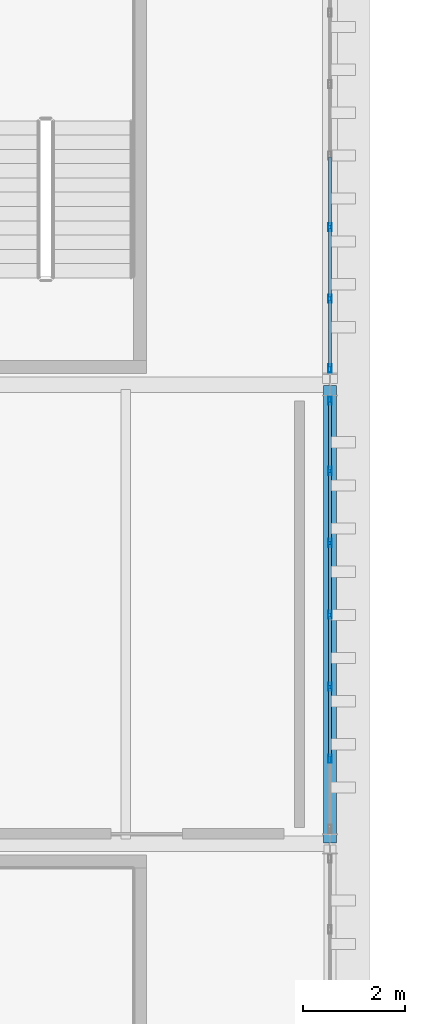
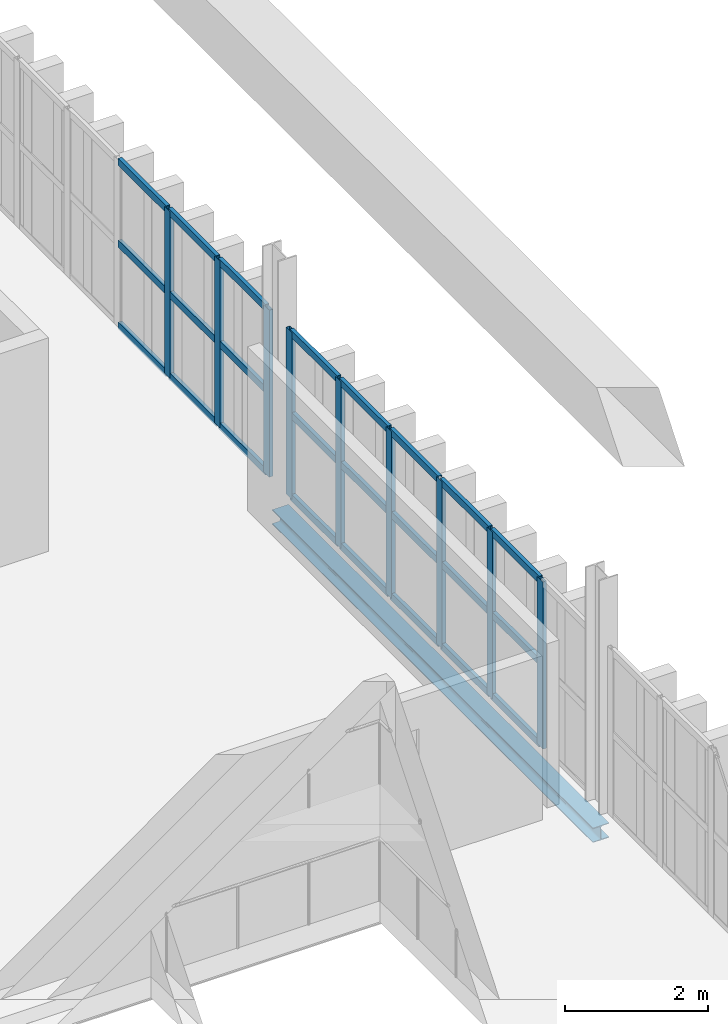
# One storey, part 75 of 102: 33 members, 1 beam, 2 elements without a shape of their own.
"""IFC4 building model written with IfcOpenShell, lengths in metres."""

from ifc_helpers import new_model, si_unit, direction, frame, origin, origin_2d, place, context, subcontext, project, spatial, hollow_rectangle, i_section, extrude, material, layer, layer_set, material_profile, profile_set, type_object, element, aggregate, save


model = new_model("IFC4")

# Units and contexts
model_context = context("Model", 3, precision=1e-05, world=origin(), true_north=direction((0.0, 1.0)))
body_context = subcontext(model_context, "Body", "Model", "MODEL_VIEW")
ifc_project = project(units=[si_unit("LENGTHUNIT", "METRE"), si_unit("AREAUNIT", "SQUARE_METRE"), si_unit("VOLUMEUNIT", "CUBIC_METRE"), si_unit("PLANEANGLEUNIT", "RADIAN"), si_unit("MASSUNIT", "GRAM", prefix="KILO")], contexts=[model_context])

# Site, building, storey
site_placement = place(None, origin())
site = spatial("IfcSite", under=ifc_project, at=site_placement, CompositionType="ELEMENT")
building_placement = place(site_placement, origin())
building = spatial("IfcBuilding", under=site, at=building_placement, Name="Barlavento Convention Centre", CompositionType="ELEMENT")
storey_placement = place(building_placement, frame((0.0, 0.0, 22.800048828125)))
storey = spatial("IfcBuildingStorey", under=building, at=storey_placement, Name="L04", CompositionType="ELEMENT", Elevation=22.800048828125)

# Curtain wall, members
ifc_material_1 = material(Name="Powder-coated aluminium and Low-E glass", Category="aluminium")
ifc_layer = layer(ifc_material_1, 0.18505859375)
ifc_layer_set = layer_set([ifc_layer], Name="ARC-CW-CONF-L04")
curtain_wall_type = type_object("IfcCurtainWallType", Name="ARC-CW-CONF-L04", PredefinedType="NOTDEFINED", material=ifc_layer_set)
curtain_wall_1_placement = place(storey_placement, origin())
curtain_wall_1 = element("IfcCurtainWall", 1, at=curtain_wall_1_placement, inside=storey, type_object=curtain_wall_type, Name="L04 unitised curtain wall CW09", PredefinedType="NOTDEFINED")
ifc_material_2 = material(Name="Powder-coated aluminium", Category="aluminium")
ifc_material_profile_1 = material_profile(ifc_material_2, hollow_rectangle(XDim=0.06005859375, YDim=0.159912109375, WallThickness=0.00390625, at=origin_2d()), Name="AL-MULL 60x160x4")
ifc_profile_set_1 = profile_set([ifc_material_profile_1], Name="Powder-coated aluminium")
member_type_1 = type_object("IfcMemberType", Name="ARC-CWM-60X160", PredefinedType="MULLION", material=ifc_profile_set_1)
member_1_placement = place(storey_placement, frame((192.0, 64.669189453125, 0.0), z_axis=(0.0, 0.0, 1.0), x_axis=(-1.0, 0.0, 0.0)))
member_1 = element("IfcMember", 2, at=member_1_placement, type_object=member_type_1, Name="CW09 mullion 2", PredefinedType="MULLION", context=body_context, shape_type="SweptSolid", body=[
    extrude(hollow_rectangle(XDim=0.06005859375, YDim=0.159912109375, WallThickness=0.00390625, at=origin_2d()), origin(), (0.0, 0.0, 1.0), 2.849853515625),
])
member_2_placement = place(storey_placement, frame((192.0, 66.078369140625, 0.0), z_axis=(0.0, 0.0, 1.0), x_axis=(-1.0, 0.0, 0.0)))
member_2 = element("IfcMember", 3, at=member_2_placement, type_object=member_type_1, Name="CW09 mullion 3", PredefinedType="MULLION", context=body_context, shape_type="SweptSolid", body=[
    extrude(hollow_rectangle(XDim=0.06005859375, YDim=0.159912109375, WallThickness=0.00390625, at=origin_2d()), origin(), (0.0, 0.0, 1.0), 2.849853515625),
])
member_3_placement = place(storey_placement, frame((192.0, 67.487548828125, 0.0), z_axis=(0.0, 0.0, 1.0), x_axis=(-1.0, 0.0, 0.0)))
member_3 = element("IfcMember", 4, at=member_3_placement, type_object=member_type_1, Name="CW09 mullion 4", PredefinedType="MULLION", context=body_context, shape_type="SweptSolid", body=[
    extrude(hollow_rectangle(XDim=0.06005859375, YDim=0.159912109375, WallThickness=0.00390625, at=origin_2d()), origin(), (0.0, 0.0, 1.0), 2.849853515625),
])
member_4_placement = place(storey_placement, frame((192.0, 68.896728515625, 0.0), z_axis=(0.0, 0.0, 1.0), x_axis=(-1.0, 0.0, 0.0)))
member_4 = element("IfcMember", 5, at=member_4_placement, type_object=member_type_1, Name="CW09 mullion 5", PredefinedType="MULLION", context=body_context, shape_type="SweptSolid", body=[
    extrude(hollow_rectangle(XDim=0.06005859375, YDim=0.159912109375, WallThickness=0.00390625, at=origin_2d()), origin(), (0.0, 0.0, 1.0), 2.849853515625),
])
member_5_placement = place(storey_placement, frame((192.0, 70.305908203125, 0.0), z_axis=(0.0, 0.0, 1.0), x_axis=(-1.0, 0.0, 0.0)))
member_5 = element("IfcMember", 6, at=member_5_placement, type_object=member_type_1, Name="CW09 mullion 6", PredefinedType="MULLION", context=body_context, shape_type="SweptSolid", body=[
    extrude(hollow_rectangle(XDim=0.06005859375, YDim=0.159912109375, WallThickness=0.00390625, at=origin_2d()), origin(), (0.0, 0.0, 1.0), 2.849853515625),
])
member_6_placement = place(storey_placement, frame((192.0, 71.68505859375, 0.0), z_axis=(0.0, 0.0, 1.0), x_axis=(-1.0, 0.0, 0.0)))
member_6 = element("IfcMember", 7, at=member_6_placement, type_object=member_type_1, Name="CW09 mullion 7", PredefinedType="MULLION", context=body_context, shape_type="SweptSolid", body=[
    extrude(hollow_rectangle(XDim=0.06005859375, YDim=0.159912109375, WallThickness=0.00390625, at=origin_2d()), origin(), (0.0, 0.0, 1.0), 2.849853515625),
])

curtain_wall_2_placement = place(storey_placement, origin())
curtain_wall_2 = element("IfcCurtainWall", 8, at=curtain_wall_2_placement, inside=storey, type_object=curtain_wall_type, Name="L04 unitised curtain wall CW09", PredefinedType="NOTDEFINED")
member_7_placement = place(storey_placement, frame((192.0, 72.31494140625, 0.0), z_axis=(0.0, 0.0, 1.0), x_axis=(-1.0, 0.0, 0.0)))
member_7 = element("IfcMember", 9, at=member_7_placement, type_object=member_type_1, Name="CW09 mullion 1", PredefinedType="MULLION", context=body_context, shape_type="SweptSolid", body=[
    extrude(hollow_rectangle(XDim=0.06005859375, YDim=0.159912109375, WallThickness=0.00390625, at=origin_2d()), origin(), (0.0, 0.0, 1.0), 2.849853515625),
])
member_8_placement = place(storey_placement, frame((192.0, 73.685791015625, 0.0), z_axis=(0.0, 0.0, 1.0), x_axis=(-1.0, 0.0, 0.0)))
member_8 = element("IfcMember", 10, at=member_8_placement, type_object=member_type_1, Name="CW09 mullion 2", PredefinedType="MULLION", context=body_context, shape_type="SweptSolid", body=[
    extrude(hollow_rectangle(XDim=0.06005859375, YDim=0.159912109375, WallThickness=0.00390625, at=origin_2d()), origin(), (0.0, 0.0, 1.0), 2.849853515625),
])
member_9_placement = place(storey_placement, frame((192.0, 75.086669921875, 0.0), z_axis=(0.0, 0.0, 1.0), x_axis=(-1.0, 0.0, 0.0)))
member_9 = element("IfcMember", 11, at=member_9_placement, type_object=member_type_1, Name="CW09 mullion 3", PredefinedType="MULLION", context=body_context, shape_type="SweptSolid", body=[
    extrude(hollow_rectangle(XDim=0.06005859375, YDim=0.159912109375, WallThickness=0.00390625, at=origin_2d()), origin(), (0.0, 0.0, 1.0), 2.849853515625),
])

# Member
ifc_material_profile_2 = material_profile(ifc_material_2, hollow_rectangle(XDim=0.06005859375, YDim=0.1201171875, WallThickness=0.00390625, at=origin_2d()), Name="AL-TRAN 60x120x4")
ifc_profile_set_2 = profile_set([ifc_material_profile_2], Name="Powder-coated aluminium")
member_type_2 = type_object("IfcMemberType", Name="ARC-CWT-60X120", PredefinedType="USERDEFINED", material=ifc_profile_set_2)
member_10_placement = place(storey_placement, frame((192.0, 64.69921875, 0.030029296875), z_axis=(0.0, 1.0, 0.0), x_axis=(-1.0, 0.0, 0.0)))
member_10 = element("IfcMember", 12, at=member_10_placement, type_object=member_type_2, Name="CW09 transom 2.1", ObjectType="TRANSOM", PredefinedType="USERDEFINED", context=body_context, shape_type="SweptSolid", body=[
    extrude(hollow_rectangle(XDim=0.06005859375, YDim=0.1201171875, WallThickness=0.00390625, at=origin_2d()), origin(), (0.0, 0.0, 1.0), 1.34912109375),
])

member_11_placement = place(storey_placement, frame((192.0, 64.69921875, 1.425048828125), z_axis=(0.0, 1.0, 0.0), x_axis=(-1.0, 0.0, 0.0)))
member_11 = element("IfcMember", 13, at=member_11_placement, type_object=member_type_2, Name="CW09 transom 2.2", ObjectType="TRANSOM", PredefinedType="USERDEFINED", context=body_context, shape_type="SweptSolid", body=[
    extrude(hollow_rectangle(XDim=0.06005859375, YDim=0.1201171875, WallThickness=0.00390625, at=origin_2d()), origin(), (0.0, 0.0, 1.0), 1.34912109375),
])

member_12_placement = place(storey_placement, frame((192.0, 64.69921875, 2.820068359375), z_axis=(0.0, 1.0, 0.0), x_axis=(-1.0, 0.0, 0.0)))
member_12 = element("IfcMember", 14, at=member_12_placement, type_object=member_type_2, Name="CW09 transom 2.3", ObjectType="TRANSOM", PredefinedType="USERDEFINED", context=body_context, shape_type="SweptSolid", body=[
    extrude(hollow_rectangle(XDim=0.06005859375, YDim=0.1201171875, WallThickness=0.00390625, at=origin_2d()), origin(), (0.0, 0.0, 1.0), 1.34912109375),
])

member_13_placement = place(storey_placement, frame((192.0, 66.1083984375, 0.030029296875), z_axis=(0.0, 1.0, 0.0), x_axis=(-1.0, 0.0, 0.0)))
member_13 = element("IfcMember", 15, at=member_13_placement, type_object=member_type_2, Name="CW09 transom 3.1", ObjectType="TRANSOM", PredefinedType="USERDEFINED", context=body_context, shape_type="SweptSolid", body=[
    extrude(hollow_rectangle(XDim=0.06005859375, YDim=0.1201171875, WallThickness=0.00390625, at=origin_2d()), origin(), (0.0, 0.0, 1.0), 1.34912109375),
])

member_14_placement = place(storey_placement, frame((192.0, 66.1083984375, 1.425048828125), z_axis=(0.0, 1.0, 0.0), x_axis=(-1.0, 0.0, 0.0)))
member_14 = element("IfcMember", 16, at=member_14_placement, type_object=member_type_2, Name="CW09 transom 3.2", ObjectType="TRANSOM", PredefinedType="USERDEFINED", context=body_context, shape_type="SweptSolid", body=[
    extrude(hollow_rectangle(XDim=0.06005859375, YDim=0.1201171875, WallThickness=0.00390625, at=origin_2d()), origin(), (0.0, 0.0, 1.0), 1.34912109375),
])

member_15_placement = place(storey_placement, frame((192.0, 66.1083984375, 2.820068359375), z_axis=(0.0, 1.0, 0.0), x_axis=(-1.0, 0.0, 0.0)))
member_15 = element("IfcMember", 17, at=member_15_placement, type_object=member_type_2, Name="CW09 transom 3.3", ObjectType="TRANSOM", PredefinedType="USERDEFINED", context=body_context, shape_type="SweptSolid", body=[
    extrude(hollow_rectangle(XDim=0.06005859375, YDim=0.1201171875, WallThickness=0.00390625, at=origin_2d()), origin(), (0.0, 0.0, 1.0), 1.34912109375),
])

member_16_placement = place(storey_placement, frame((192.0, 67.517578125, 0.030029296875), z_axis=(0.0, 1.0, 0.0), x_axis=(-1.0, 0.0, 0.0)))
member_16 = element("IfcMember", 18, at=member_16_placement, type_object=member_type_2, Name="CW09 transom 4.1", ObjectType="TRANSOM", PredefinedType="USERDEFINED", context=body_context, shape_type="SweptSolid", body=[
    extrude(hollow_rectangle(XDim=0.06005859375, YDim=0.1201171875, WallThickness=0.00390625, at=origin_2d()), origin(), (0.0, 0.0, 1.0), 1.34912109375),
])

member_17_placement = place(storey_placement, frame((192.0, 67.517578125, 1.425048828125), z_axis=(0.0, 1.0, 0.0), x_axis=(-1.0, 0.0, 0.0)))
member_17 = element("IfcMember", 19, at=member_17_placement, type_object=member_type_2, Name="CW09 transom 4.2", ObjectType="TRANSOM", PredefinedType="USERDEFINED", context=body_context, shape_type="SweptSolid", body=[
    extrude(hollow_rectangle(XDim=0.06005859375, YDim=0.1201171875, WallThickness=0.00390625, at=origin_2d()), origin(), (0.0, 0.0, 1.0), 1.34912109375),
])

member_18_placement = place(storey_placement, frame((192.0, 67.517578125, 2.820068359375), z_axis=(0.0, 1.0, 0.0), x_axis=(-1.0, 0.0, 0.0)))
member_18 = element("IfcMember", 20, at=member_18_placement, type_object=member_type_2, Name="CW09 transom 4.3", ObjectType="TRANSOM", PredefinedType="USERDEFINED", context=body_context, shape_type="SweptSolid", body=[
    extrude(hollow_rectangle(XDim=0.06005859375, YDim=0.1201171875, WallThickness=0.00390625, at=origin_2d()), origin(), (0.0, 0.0, 1.0), 1.34912109375),
])

member_19_placement = place(storey_placement, frame((192.0, 68.9267578125, 0.030029296875), z_axis=(0.0, 1.0, 0.0), x_axis=(-1.0, 0.0, 0.0)))
member_19 = element("IfcMember", 21, at=member_19_placement, type_object=member_type_2, Name="CW09 transom 5.1", ObjectType="TRANSOM", PredefinedType="USERDEFINED", context=body_context, shape_type="SweptSolid", body=[
    extrude(hollow_rectangle(XDim=0.06005859375, YDim=0.1201171875, WallThickness=0.00390625, at=origin_2d()), origin(), (0.0, 0.0, 1.0), 1.34912109375),
])

member_20_placement = place(storey_placement, frame((192.0, 68.9267578125, 1.425048828125), z_axis=(0.0, 1.0, 0.0), x_axis=(-1.0, 0.0, 0.0)))
member_20 = element("IfcMember", 22, at=member_20_placement, type_object=member_type_2, Name="CW09 transom 5.2", ObjectType="TRANSOM", PredefinedType="USERDEFINED", context=body_context, shape_type="SweptSolid", body=[
    extrude(hollow_rectangle(XDim=0.06005859375, YDim=0.1201171875, WallThickness=0.00390625, at=origin_2d()), origin(), (0.0, 0.0, 1.0), 1.34912109375),
])

member_21_placement = place(storey_placement, frame((192.0, 68.9267578125, 2.820068359375), z_axis=(0.0, 1.0, 0.0), x_axis=(-1.0, 0.0, 0.0)))
member_21 = element("IfcMember", 23, at=member_21_placement, type_object=member_type_2, Name="CW09 transom 5.3", ObjectType="TRANSOM", PredefinedType="USERDEFINED", context=body_context, shape_type="SweptSolid", body=[
    extrude(hollow_rectangle(XDim=0.06005859375, YDim=0.1201171875, WallThickness=0.00390625, at=origin_2d()), origin(), (0.0, 0.0, 1.0), 1.34912109375),
])

member_22_placement = place(storey_placement, frame((192.0, 70.3359375, 0.030029296875), z_axis=(0.0, 1.0, 0.0), x_axis=(-1.0, 0.0, 0.0)))
member_22 = element("IfcMember", 24, at=member_22_placement, type_object=member_type_2, Name="CW09 transom 6.1", ObjectType="TRANSOM", PredefinedType="USERDEFINED", context=body_context, shape_type="SweptSolid", body=[
    extrude(hollow_rectangle(XDim=0.06005859375, YDim=0.1201171875, WallThickness=0.00390625, at=origin_2d()), origin(), (0.0, 0.0, 1.0), 1.319091796875),
])

member_23_placement = place(storey_placement, frame((192.0, 70.3359375, 1.425048828125), z_axis=(0.0, 1.0, 0.0), x_axis=(-1.0, 0.0, 0.0)))
member_23 = element("IfcMember", 25, at=member_23_placement, type_object=member_type_2, Name="CW09 transom 6.2", ObjectType="TRANSOM", PredefinedType="USERDEFINED", context=body_context, shape_type="SweptSolid", body=[
    extrude(hollow_rectangle(XDim=0.06005859375, YDim=0.1201171875, WallThickness=0.00390625, at=origin_2d()), origin(), (0.0, 0.0, 1.0), 1.319091796875),
])

member_24_placement = place(storey_placement, frame((192.0, 70.3359375, 2.820068359375), z_axis=(0.0, 1.0, 0.0), x_axis=(-1.0, 0.0, 0.0)))
member_24 = element("IfcMember", 26, at=member_24_placement, type_object=member_type_2, Name="CW09 transom 6.3", ObjectType="TRANSOM", PredefinedType="USERDEFINED", context=body_context, shape_type="SweptSolid", body=[
    extrude(hollow_rectangle(XDim=0.06005859375, YDim=0.1201171875, WallThickness=0.00390625, at=origin_2d()), origin(), (0.0, 0.0, 1.0), 1.319091796875),
])

aggregate(curtain_wall_1, [member_1, member_2, member_3, member_4, member_5, member_6, member_10, member_11, member_12, member_13, member_14, member_15, member_16, member_17, member_18, member_19, member_20, member_21, member_22, member_23, member_24])

member_25_placement = place(storey_placement, frame((192.0, 72.344970703125, 0.030029296875), z_axis=(0.0, 1.0, 0.0), x_axis=(-1.0, 0.0, 0.0)))
member_25 = element("IfcMember", 27, at=member_25_placement, type_object=member_type_2, Name="CW09 transom 1.1", ObjectType="TRANSOM", PredefinedType="USERDEFINED", context=body_context, shape_type="SweptSolid", body=[
    extrude(hollow_rectangle(XDim=0.06005859375, YDim=0.1201171875, WallThickness=0.00390625, at=origin_2d()), origin(), (0.0, 0.0, 1.0), 1.310791015625),
])

member_26_placement = place(storey_placement, frame((192.0, 72.344970703125, 1.425048828125), z_axis=(0.0, 1.0, 0.0), x_axis=(-1.0, 0.0, 0.0)))
member_26 = element("IfcMember", 28, at=member_26_placement, type_object=member_type_2, Name="CW09 transom 1.2", ObjectType="TRANSOM", PredefinedType="USERDEFINED", context=body_context, shape_type="SweptSolid", body=[
    extrude(hollow_rectangle(XDim=0.06005859375, YDim=0.1201171875, WallThickness=0.00390625, at=origin_2d()), origin(), (0.0, 0.0, 1.0), 1.310791015625),
])

member_27_placement = place(storey_placement, frame((192.0, 72.344970703125, 2.820068359375), z_axis=(0.0, 1.0, 0.0), x_axis=(-1.0, 0.0, 0.0)))
member_27 = element("IfcMember", 29, at=member_27_placement, type_object=member_type_2, Name="CW09 transom 1.3", ObjectType="TRANSOM", PredefinedType="USERDEFINED", context=body_context, shape_type="SweptSolid", body=[
    extrude(hollow_rectangle(XDim=0.06005859375, YDim=0.1201171875, WallThickness=0.00390625, at=origin_2d()), origin(), (0.0, 0.0, 1.0), 1.310791015625),
])

member_28_placement = place(storey_placement, frame((192.0, 73.7158203125, 0.030029296875), z_axis=(0.0, 1.0, 0.0), x_axis=(-1.0, 0.0, 0.0)))
member_28 = element("IfcMember", 30, at=member_28_placement, type_object=member_type_2, Name="CW09 transom 2.1", ObjectType="TRANSOM", PredefinedType="USERDEFINED", context=body_context, shape_type="SweptSolid", body=[
    extrude(hollow_rectangle(XDim=0.06005859375, YDim=0.1201171875, WallThickness=0.00390625, at=origin_2d()), origin(), (0.0, 0.0, 1.0), 1.3408203125),
])

member_29_placement = place(storey_placement, frame((192.0, 73.7158203125, 1.425048828125), z_axis=(0.0, 1.0, 0.0), x_axis=(-1.0, 0.0, 0.0)))
member_29 = element("IfcMember", 31, at=member_29_placement, type_object=member_type_2, Name="CW09 transom 2.2", ObjectType="TRANSOM", PredefinedType="USERDEFINED", context=body_context, shape_type="SweptSolid", body=[
    extrude(hollow_rectangle(XDim=0.06005859375, YDim=0.1201171875, WallThickness=0.00390625, at=origin_2d()), origin(), (0.0, 0.0, 1.0), 1.3408203125),
])

member_30_placement = place(storey_placement, frame((192.0, 73.7158203125, 2.820068359375), z_axis=(0.0, 1.0, 0.0), x_axis=(-1.0, 0.0, 0.0)))
member_30 = element("IfcMember", 32, at=member_30_placement, type_object=member_type_2, Name="CW09 transom 2.3", ObjectType="TRANSOM", PredefinedType="USERDEFINED", context=body_context, shape_type="SweptSolid", body=[
    extrude(hollow_rectangle(XDim=0.06005859375, YDim=0.1201171875, WallThickness=0.00390625, at=origin_2d()), origin(), (0.0, 0.0, 1.0), 1.3408203125),
])

member_31_placement = place(storey_placement, frame((192.0, 75.11669921875, 0.030029296875), z_axis=(0.0, 1.0, 0.0), x_axis=(-1.0, 0.0, 0.0)))
member_31 = element("IfcMember", 33, at=member_31_placement, type_object=member_type_2, Name="CW09 transom 3.1", ObjectType="TRANSOM", PredefinedType="USERDEFINED", context=body_context, shape_type="SweptSolid", body=[
    extrude(hollow_rectangle(XDim=0.06005859375, YDim=0.1201171875, WallThickness=0.00390625, at=origin_2d()), origin(), (0.0, 0.0, 1.0), 1.3408203125),
])

member_32_placement = place(storey_placement, frame((192.0, 75.11669921875, 1.425048828125), z_axis=(0.0, 1.0, 0.0), x_axis=(-1.0, 0.0, 0.0)))
member_32 = element("IfcMember", 34, at=member_32_placement, type_object=member_type_2, Name="CW09 transom 3.2", ObjectType="TRANSOM", PredefinedType="USERDEFINED", context=body_context, shape_type="SweptSolid", body=[
    extrude(hollow_rectangle(XDim=0.06005859375, YDim=0.1201171875, WallThickness=0.00390625, at=origin_2d()), origin(), (0.0, 0.0, 1.0), 1.3408203125),
])

member_33_placement = place(storey_placement, frame((192.0, 75.11669921875, 2.820068359375), z_axis=(0.0, 1.0, 0.0), x_axis=(-1.0, 0.0, 0.0)))
member_33 = element("IfcMember", 35, at=member_33_placement, type_object=member_type_2, Name="CW09 transom 3.3", ObjectType="TRANSOM", PredefinedType="USERDEFINED", context=body_context, shape_type="SweptSolid", body=[
    extrude(hollow_rectangle(XDim=0.06005859375, YDim=0.1201171875, WallThickness=0.00390625, at=origin_2d()), origin(), (0.0, 0.0, 1.0), 1.3408203125),
])

aggregate(curtain_wall_2, [member_7, member_8, member_9, member_25, member_26, member_27, member_28, member_29, member_30, member_31, member_32, member_33])

# Beam
ifc_material_3 = material(Name="Steel S355", Category="steel")
ifc_material_profile_3 = material_profile(ifc_material_3, i_section(OverallWidth=0.260009765625, OverallDepth=0.25, WebThickness=0.007568359375, FlangeThickness=0.012451171875, FilletRadius=0.02392578125, at=origin_2d()), Name="HEA 260")
ifc_profile_set_3 = profile_set([ifc_material_profile_3], Name="Steel S355")
beam_type = type_object("IfcBeamType", Name="STR-BM-SPN-HEA260", PredefinedType="SPANDREL", material=ifc_profile_set_3)
beam_placement = place(storey_placement, frame((192.0, 63.02001953125, -0.485107421875), z_axis=(0.0, 1.0, 0.0), x_axis=(-1.0, 0.0, 0.0)))
element("IfcBeam", 36, at=beam_placement, inside=storey, type_object=beam_type, Name="L04 grid girder SP04", PredefinedType="SPANDREL", context=body_context, shape_type="SweptSolid", body=[
    extrude(i_section(OverallWidth=0.260009765625, OverallDepth=0.25, WebThickness=0.007568359375, FlangeThickness=0.012451171875, FilletRadius=0.02392578125, at=origin_2d()), origin(), (0.0, 0.0, 1.0), 8.9599609375),
])

save(model, "model.ifc")
